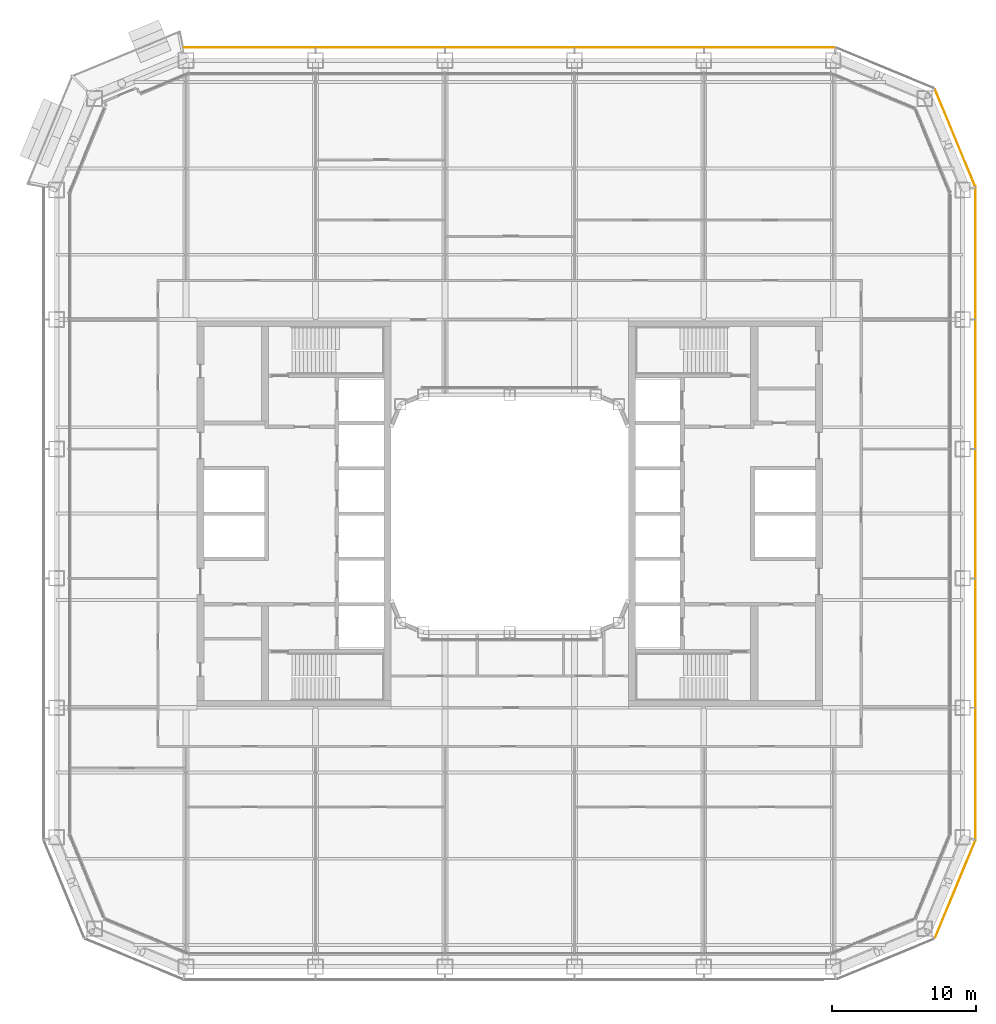
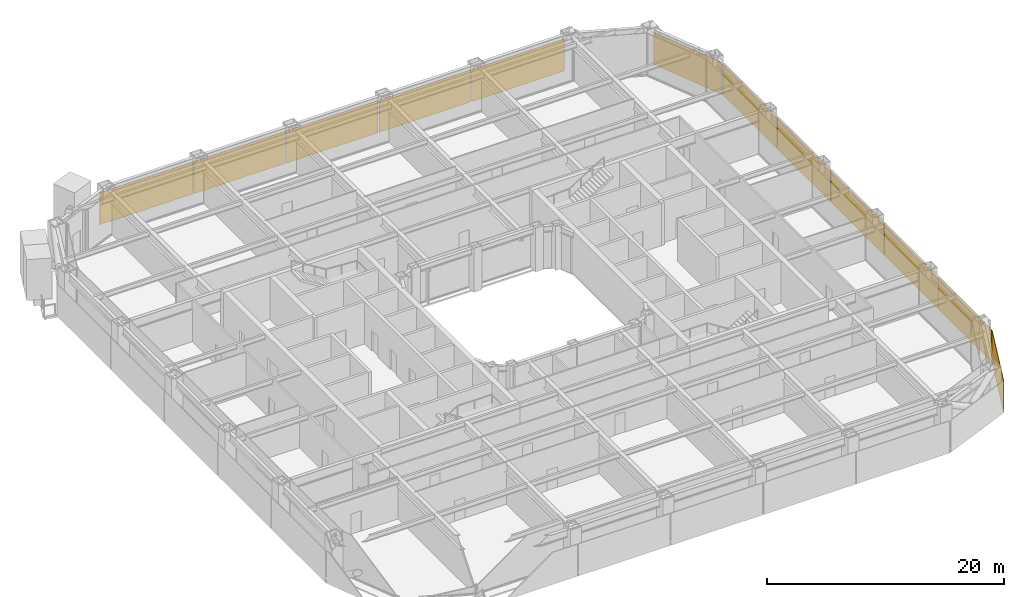
# One storey, part 27 of 28: 12 coverings.
"""IFC4 building model written with IfcOpenShell, lengths in metres."""

from ifc_helpers import new_model, si_unit, direction, frame, origin, origin_2d, place, context, subcontext, project, spatial, rectangle, extrude, material, layer, layer_set, type_object, element, save


model = new_model("IFC4")

# Units and contexts
model_context = context("Model", 3, precision=1e-05, world=origin(), true_north=direction((0.0, 1.0)))
body_context = subcontext(model_context, "Body", "Model", "MODEL_VIEW")
ifc_project = project(units=[si_unit("LENGTHUNIT", "METRE"), si_unit("AREAUNIT", "SQUARE_METRE"), si_unit("VOLUMEUNIT", "CUBIC_METRE"), si_unit("PLANEANGLEUNIT", "RADIAN"), si_unit("MASSUNIT", "GRAM", prefix="KILO")], contexts=[model_context])

# Site, building, storey
site_placement = place(None, origin())
site = spatial("IfcSite", under=ifc_project, at=site_placement, CompositionType="ELEMENT")
building_placement = place(site_placement, origin())
building = spatial("IfcBuilding", under=site, at=building_placement, Name="Siwar Civic Tower", CompositionType="ELEMENT")
storey_placement = place(building_placement, frame((0.0, 0.0, 31.199951171875)))
storey = spatial("IfcBuildingStorey", under=building, at=storey_placement, Name="L06", CompositionType="ELEMENT", Elevation=31.199951171875)

# Coverings
ifc_material_1 = material(Name="Perforated aluminium cassette, pale metal", Category="aluminium")
ifc_layer_1 = layer(ifc_material_1, 0.0400390625)
ifc_layer_set_1 = layer_set([ifc_layer_1], Name="Perforated aluminium cassette, pale metal")
covering_type_1 = type_object("IfcCoveringType", Name="ENV-OUTER SKIN OS-1", PredefinedType="CLADDING", material=ifc_layer_set_1)
covering_1_placement = place(storey_placement, frame((32.39990234375, -18.07958984375, -0.14990234375), z_axis=(0.0, 0.0, 1.0), x_axis=(0.0, 1.0, 0.0)))
element("IfcCovering", 1, at=covering_1_placement, inside=storey, type_object=covering_type_1, Name="OUTER SKIN OS-1 E 1", PredefinedType="CLADDING", context=body_context, shape_type="SweptSolid", body=[
    extrude(rectangle(XDim=9.05908203125, YDim=0.0400390625, at=origin_2d()), origin(), (0.0, 0.0, 1.0), 3.300048828125),
])
for number, where, z_axis, x_axis, name in (
    (2, (32.39990234375, -9.0, -0.14990234375), (0.0, 0.0, 1.0), (0.0, 1.0, 0.0), "OUTER SKIN OS-1 E 2"),
    (3, (32.39990234375, 0.0, -0.14990234375), (0.0, 0.0, 1.0), (0.0, 1.0, 0.0), "OUTER SKIN OS-1 E 3"),
    (4, (32.39990234375, 9.0, -0.14990234375), (0.0, 0.0, 1.0), (0.0, 1.0, 0.0), "OUTER SKIN OS-1 E 4"),
):
    element("IfcCovering", number, at=place(storey_placement, frame(where, z_axis=z_axis, x_axis=x_axis)), inside=storey, type_object=covering_type_1, Name=name, PredefinedType="CLADDING", context=body_context, shape_type="SweptSolid", body=[
        extrude(rectangle(XDim=8.89990234375, YDim=0.0400390625, at=origin_2d()), origin(), (0.0, 0.0, 1.0), 3.300048828125),
    ])
covering_2_placement = place(storey_placement, frame((32.39990234375, 18.07958984375, -0.14990234375), z_axis=(0.0, 0.0, 1.0), x_axis=(0.0, 1.0, 0.0)))
element("IfcCovering", 5, at=covering_2_placement, inside=storey, type_object=covering_type_1, Name="OUTER SKIN OS-1 E 5", PredefinedType="CLADDING", context=body_context, shape_type="SweptSolid", body=[
    extrude(rectangle(XDim=9.05908203125, YDim=0.0400390625, at=origin_2d()), origin(), (0.0, 0.0, 1.0), 3.300048828125),
])
covering_3_placement = place(storey_placement, frame((30.976318359375, 26.115966796875, -0.14990234375), z_axis=(0.0, 0.0, 1.0), x_axis=(-0.382683432365, 0.923879532511, 0.0)))
element("IfcCovering", 6, at=covering_3_placement, inside=storey, type_object=covering_type_1, Name="OUTER SKIN OS-1 NE1 1", PredefinedType="CLADDING", context=body_context, shape_type="SweptSolid", body=[
    extrude(rectangle(XDim=7.300048828125, YDim=0.0400390625, at=origin_2d()), origin(), (0.0, 0.0, 1.0), 3.300048828125),
])
covering_4_placement = place(storey_placement, frame((18.07958984375, 32.39990234375, -0.14990234375), z_axis=(0.0, 0.0, 1.0), x_axis=(-1.0, 0.0, 0.0)))
element("IfcCovering", 7, at=covering_4_placement, inside=storey, type_object=covering_type_1, Name="OUTER SKIN OS-1 N 1", PredefinedType="CLADDING", context=body_context, shape_type="SweptSolid", body=[
    extrude(rectangle(XDim=9.05908203125, YDim=0.0400390625, at=origin_2d()), origin(), (0.0, 0.0, 1.0), 3.300048828125),
])
for number, where, z_axis, x_axis, name in (
    (8, (9.0, 32.39990234375, -0.14990234375), (0.0, 0.0, 1.0), (-1.0, 0.0, 0.0), "OUTER SKIN OS-1 N 2"),
    (9, (0.0, 32.39990234375, -0.14990234375), (0.0, 0.0, 1.0), (-1.0, 0.0, 0.0), "OUTER SKIN OS-1 N 3"),
    (10, (-9.0, 32.39990234375, -0.14990234375), (0.0, 0.0, 1.0), (-1.0, 0.0, 0.0), "OUTER SKIN OS-1 N 4"),
):
    element("IfcCovering", number, at=place(storey_placement, frame(where, z_axis=z_axis, x_axis=x_axis)), inside=storey, type_object=covering_type_1, Name=name, PredefinedType="CLADDING", context=body_context, shape_type="SweptSolid", body=[
        extrude(rectangle(XDim=8.89990234375, YDim=0.0400390625, at=origin_2d()), origin(), (0.0, 0.0, 1.0), 3.300048828125),
    ])
covering_5_placement = place(storey_placement, frame((-18.07958984375, 32.39990234375, -0.14990234375), z_axis=(0.0, 0.0, 1.0), x_axis=(-1.0, 0.0, 0.0)))
element("IfcCovering", 11, at=covering_5_placement, inside=storey, type_object=covering_type_1, Name="OUTER SKIN OS-1 N 5", PredefinedType="CLADDING", context=body_context, shape_type="SweptSolid", body=[
    extrude(rectangle(XDim=9.05908203125, YDim=0.0400390625, at=origin_2d()), origin(), (0.0, 0.0, 1.0), 3.300048828125),
])
ifc_material_2 = material(Name="Perforated aluminium cassette, pale metal", Category="aluminium")
ifc_layer_2 = layer(ifc_material_2, 0.044921875)
ifc_layer_set_2 = layer_set([ifc_layer_2], Name="Perforated aluminium cassette, pale metal")
covering_type_2 = type_object("IfcCoveringType", Name="ENV-OUTER SKIN OS-2", PredefinedType="CLADDING", material=ifc_layer_set_2)
covering_6_placement = place(storey_placement, frame((30.976318359375, -26.115966796875, -0.14990234375), z_axis=(0.0, 0.0, 1.0), x_axis=(0.382683432365, 0.923879532511, 0.0)))
element("IfcCovering", 12, at=covering_6_placement, inside=storey, type_object=covering_type_2, Name="OUTER SKIN OS-2 SE2 1", PredefinedType="CLADDING", context=body_context, shape_type="SweptSolid", body=[
    extrude(rectangle(XDim=7.300048828125, YDim=0.044921875, at=origin_2d()), origin(), (0.0, 0.0, 1.0), 3.300048828125),
])

save(model, "model.ifc")
